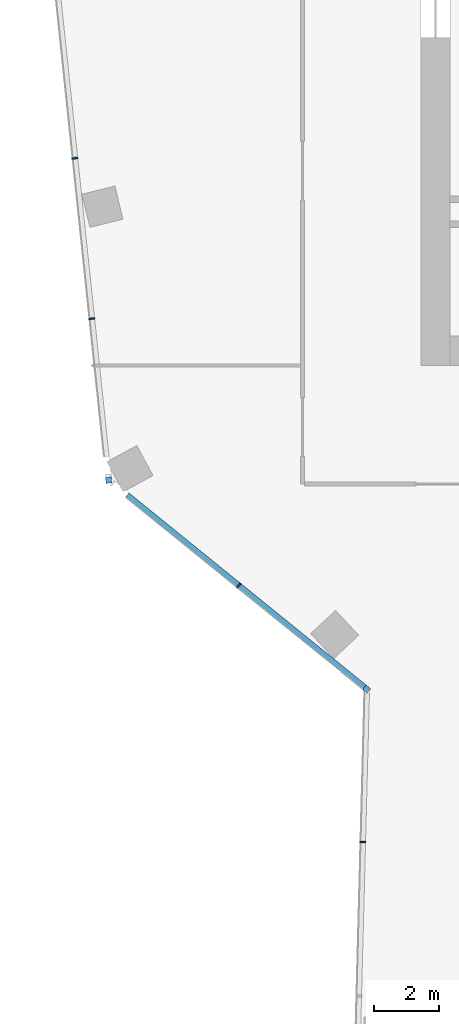
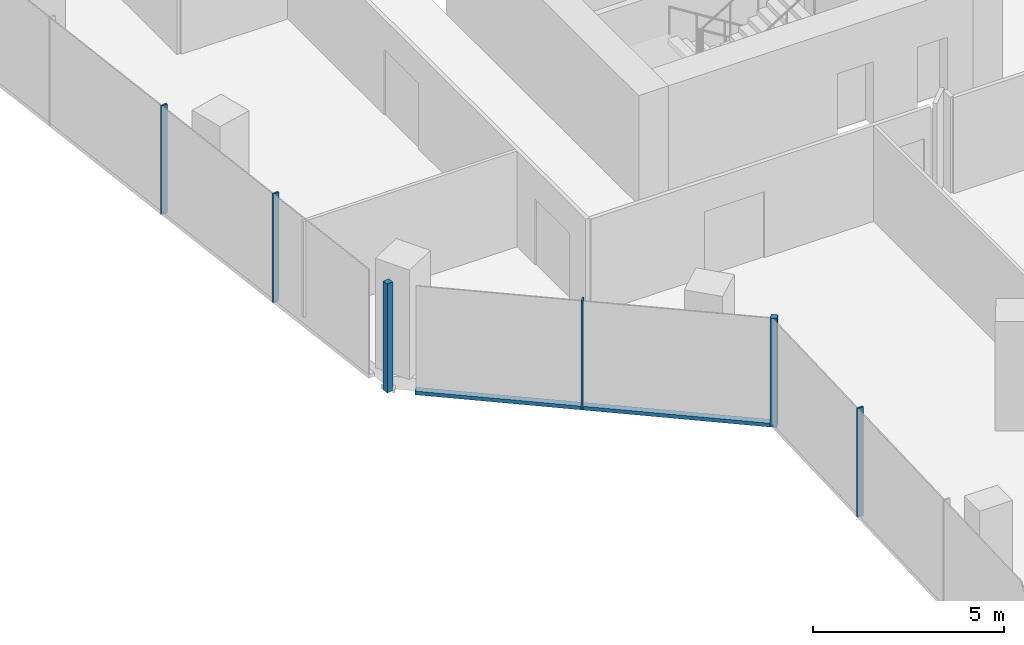
# One storey, part 7 of 26: 7 members, 3 elements without a shape of their own.
"""IFC4 building model written with IfcOpenShell, lengths in metres."""

from ifc_helpers import new_model, si_unit, direction, frame, origin, origin_2d, place, context, subcontext, project, spatial, rectangle, extrude, material, material_profile, profile_set, type_object, element, aggregate, save


model = new_model("IFC4")

# Units and contexts
model_context = context("Model", 3, precision=1e-05, world=origin(), true_north=direction((0.0, 1.0)))
body_context = subcontext(model_context, "Body", "Model", "MODEL_VIEW")
ifc_project = project(units=[si_unit("LENGTHUNIT", "METRE"), si_unit("AREAUNIT", "SQUARE_METRE"), si_unit("VOLUMEUNIT", "CUBIC_METRE"), si_unit("PLANEANGLEUNIT", "RADIAN"), si_unit("MASSUNIT", "GRAM", prefix="KILO")], contexts=[model_context])

# Site, building, storey
site_placement = place(None, origin())
site = spatial("IfcSite", under=ifc_project, at=site_placement, CompositionType="ELEMENT")
building_placement = place(site_placement, origin())
building = spatial("IfcBuilding", under=site, at=building_placement, Name="Orlundy Tower", CompositionType="ELEMENT")
storey_placement = place(building_placement, frame((0.0, 0.0, 214.0)))
storey = spatial("IfcBuildingStorey", under=building, at=storey_placement, Name="L56", CompositionType="ELEMENT", Elevation=214.0)

# Curtain wall, member
ifc_material_1 = material(Name="Aluminium bronze anodised", Category="aluminium")
curtain_wall_type = type_object("IfcCurtainWallType", Name="CW1 wall", PredefinedType="NOTDEFINED", material=ifc_material_1)
curtain_wall_1_placement = place(storey_placement, origin())
curtain_wall_1 = element("IfcCurtainWall", 1, at=curtain_wall_1_placement, inside=storey, type_object=curtain_wall_type, Name="CW1 run 01", PredefinedType="NOTDEFINED")
ifc_material_2 = material(Name="Aluminium bronze anodised", Category="aluminium")
ifc_material_profile_1 = material_profile(ifc_material_2, rectangle(XDim=0.179931640625, YDim=0.179931640625, at=origin_2d()), Name="CW1 corner post 180x180")
ifc_profile_set_1 = profile_set([ifc_material_profile_1], Name="Aluminium bronze anodised")
member_type_1 = type_object("IfcMemberType", Name="CW1 corner post 180x180", PredefinedType="MULLION", material=ifc_profile_set_1)
member_1_placement = place(storey_placement, frame((-20.672119140625, -21.97802734375, -0.39990234375), z_axis=(0.0, 0.0, 1.0), x_axis=(-0.629282527892, -0.77717662091, 0.0)))
member_1 = element("IfcMember", 2, at=member_1_placement, type_object=member_type_1, Name="CW1 mullion 7", PredefinedType="MULLION", context=body_context, shape_type="SweptSolid", body=[
    extrude(rectangle(XDim=0.179931640625, YDim=0.179931640625, at=origin_2d()), origin(), (0.0, 0.0, 1.0), 3.47998046875),
])

curtain_wall_2_placement = place(storey_placement, origin())
curtain_wall_2 = element("IfcCurtainWall", 3, at=curtain_wall_2_placement, inside=storey, type_object=curtain_wall_type, Name="CW1 run 02", PredefinedType="NOTDEFINED")
member_2_placement = place(storey_placement, frame((-28.62255859375, -15.54052734375, -0.39990234375), z_axis=(0.0, 0.0, 1.0), x_axis=(-0.994520875843, -0.104538162943, 0.0)))
member_2 = element("IfcMember", 4, at=member_2_placement, type_object=member_type_1, Name="CW1 mullion 9", PredefinedType="MULLION", context=body_context, shape_type="SweptSolid", body=[
    extrude(rectangle(XDim=0.179931640625, YDim=0.179931640625, at=origin_2d()), origin(), (0.0, 0.0, 1.0), 3.47998046875),
])

curtain_wall_3_placement = place(storey_placement, origin())
curtain_wall_3 = element("IfcCurtainWall", 5, at=curtain_wall_3_placement, inside=storey, type_object=curtain_wall_type, Name="CW1 run 00", PredefinedType="NOTDEFINED")
ifc_material_3 = material(Name="Aluminium bronze anodised", Category="aluminium")
ifc_material_profile_2 = material_profile(ifc_material_3, rectangle(XDim=0.179931640625, YDim=0.050048828125, at=origin_2d()), Name="CW1 mullion 50x180")
ifc_profile_set_2 = profile_set([ifc_material_profile_2], Name="Aluminium bronze anodised")
member_type_2 = type_object("IfcMemberType", Name="CW1 mullion 50x180", PredefinedType="MULLION", material=ifc_profile_set_2)
member_3_placement = place(storey_placement, frame((-20.79541015625, -26.6875, -0.39990234375), z_axis=(0.0, 0.0, 1.0), x_axis=(-0.999657234212, 0.026180414199, 0.0)))
member_3 = element("IfcMember", 6, at=member_3_placement, type_object=member_type_2, Name="CW1 mullion 6", PredefinedType="MULLION", context=body_context, shape_type="SweptSolid", body=[
    extrude(rectangle(XDim=0.179931640625, YDim=0.050048828125, at=origin_2d()), origin(), (0.0, 0.0, 1.0), 3.47998046875),
])
aggregate(curtain_wall_3, [member_3])

# Member
member_4_placement = place(storey_placement, frame((-24.61572265625, -18.784912109375, -0.39990234375), z_axis=(0.0, 0.0, 1.0), x_axis=(-0.629282527892, -0.77717662091, 0.0)))
member_4 = element("IfcMember", 7, at=member_4_placement, type_object=member_type_2, Name="CW1 mullion 8", PredefinedType="MULLION", context=body_context, shape_type="SweptSolid", body=[
    extrude(rectangle(XDim=0.179931640625, YDim=0.050048828125, at=origin_2d()), origin(), (0.0, 0.0, 1.0), 3.47998046875),
])

member_5_placement = place(storey_placement, frame((-29.14599609375, -10.560302734375, -0.39990234375), z_axis=(0.0, 0.0, 1.0), x_axis=(-0.994520875843, -0.104538162943, 0.0)))
member_5 = element("IfcMember", 8, at=member_5_placement, type_object=member_type_2, Name="CW1 mullion 10", PredefinedType="MULLION", context=body_context, shape_type="SweptSolid", body=[
    extrude(rectangle(XDim=0.179931640625, YDim=0.050048828125, at=origin_2d()), origin(), (0.0, 0.0, 1.0), 3.47998046875),
])

member_6_placement = place(storey_placement, frame((-29.665771484375, -5.616943359375, -0.39990234375), z_axis=(0.0, 0.0, 1.0), x_axis=(-0.994520875843, -0.104538162943, 0.0)))
member_6 = element("IfcMember", 9, at=member_6_placement, type_object=member_type_2, Name="CW1 mullion 11", PredefinedType="MULLION", context=body_context, shape_type="SweptSolid", body=[
    extrude(rectangle(XDim=0.179931640625, YDim=0.050048828125, at=origin_2d()), origin(), (0.0, 0.0, 1.0), 3.47998046875),
])

aggregate(curtain_wall_2, [member_2, member_5, member_6])

ifc_material_4 = material(Name="Aluminium bronze anodised", Category="aluminium")
ifc_material_profile_3 = material_profile(ifc_material_4, rectangle(XDim=0.179931640625, YDim=0.1201171875, at=origin_2d()), Name="CW1 transom 180x120")
ifc_profile_set_3 = profile_set([ifc_material_profile_3], Name="Aluminium bronze anodised")
member_type_3 = type_object("IfcMemberType", Name="CW1 transom 180x120", PredefinedType="USERDEFINED", material=ifc_profile_set_3)
member_7_placement = place(storey_placement, frame((-20.7421875, -21.92138671875, -0.340087890625), z_axis=(-0.777166916874, 0.629294512384, 0.0), x_axis=(-0.629294512384, -0.777166916874, 0.0)))
member_7 = element("IfcMember", 10, at=member_7_placement, type_object=member_type_3, Name="CW1 transom", ObjectType="TRANSOM", PredefinedType="USERDEFINED", context=body_context, shape_type="SweptSolid", body=[
    extrude(rectangle(XDim=0.179931640625, YDim=0.1201171875, at=origin_2d()), origin(), (0.0, 0.0, 1.0), 9.4091796875),
])

aggregate(curtain_wall_1, [member_1, member_4, member_7])

save(model, "model.ifc")
